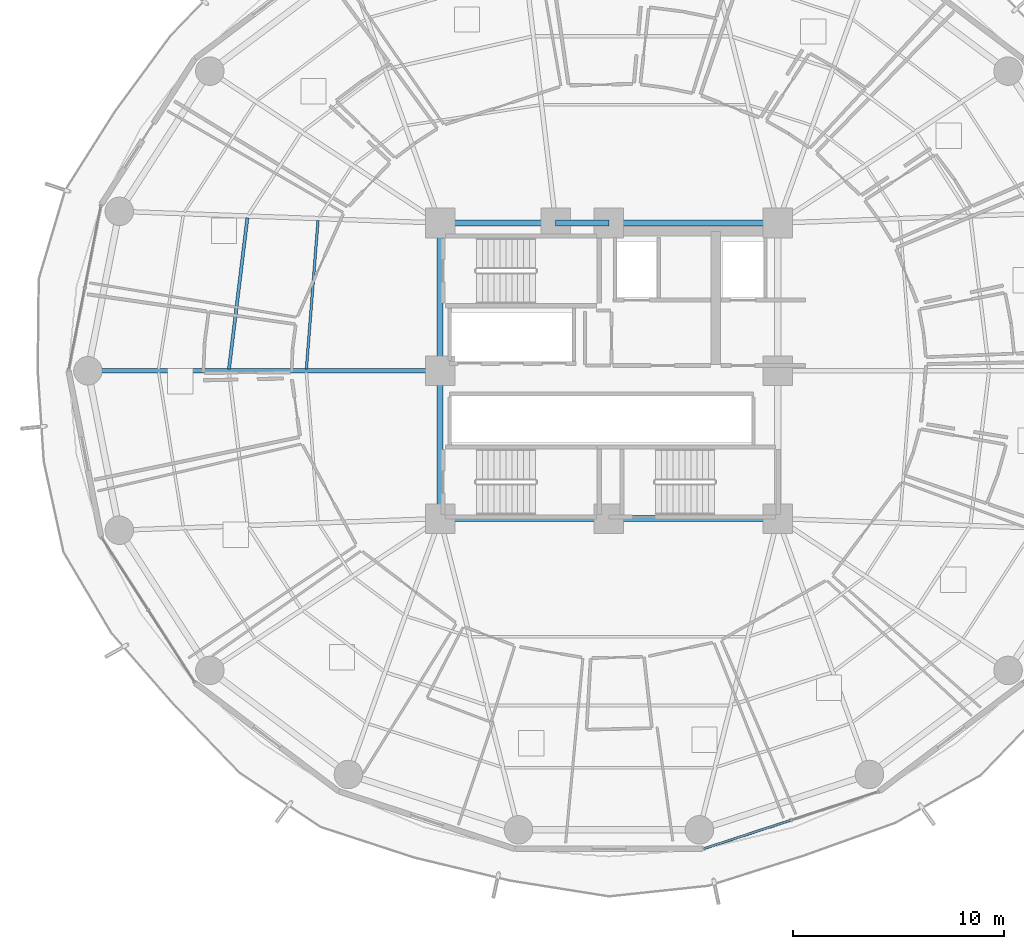
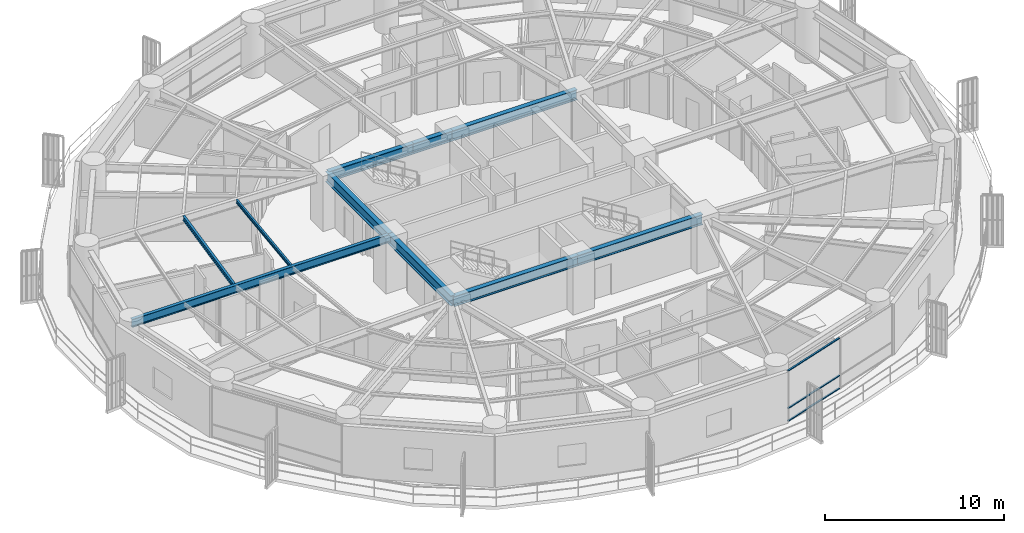
# One storey, part 9 of 35: 10 beams, 3 members, 1 element without a shape of its own.
"""IFC4 building model written with IfcOpenShell, lengths in metres."""

from ifc_helpers import new_model, si_unit, direction, frame, origin, origin_2d, place, context, subcontext, project, spatial, hollow_rectangle, i_section, extrude, material, layer, layer_set, material_profile, profile_set, type_object, element, aggregate, save


model = new_model("IFC4")

# Units and contexts
model_context = context("Model", 3, precision=1e-05, world=origin(), true_north=direction((0.0, 1.0)))
body_context = subcontext(model_context, "Body", "Model", "MODEL_VIEW")
ifc_project = project(units=[si_unit("LENGTHUNIT", "METRE"), si_unit("AREAUNIT", "SQUARE_METRE"), si_unit("VOLUMEUNIT", "CUBIC_METRE"), si_unit("PLANEANGLEUNIT", "RADIAN"), si_unit("MASSUNIT", "GRAM", prefix="KILO")], contexts=[model_context])

# Site, building, storey
site_placement = place(None, origin())
site = spatial("IfcSite", under=ifc_project, at=site_placement, CompositionType="ELEMENT")
building_placement = place(site_placement, origin())
building = spatial("IfcBuilding", under=site, at=building_placement, Name="Kelanora Arch Commons", CompositionType="ELEMENT")
storey_placement = place(building_placement, frame((0.0, 0.0, 95.10009765625)))
storey = spatial("IfcBuildingStorey", under=building, at=storey_placement, Name="L24", CompositionType="ELEMENT", Elevation=95.10009765625)

# Beams
ifc_material_1 = material(Name="Steel S355", Category="steel")
ifc_material_profile_1 = material_profile(ifc_material_1, i_section(OverallWidth=0.300048828125, OverallDepth=0.699951171875, WebThickness=0.01708984375, FlangeThickness=0.031982421875, FilletRadius=0.027099609375, at=origin_2d()), Name="HEB700")
ifc_profile_set_1 = profile_set([ifc_material_profile_1], Name="Steel S355")
beam_type_1 = type_object("IfcBeamType", Name="BM-CORE-HDR", PredefinedType="BEAM", material=ifc_profile_set_1)
for number, where, z_axis, x_axis, name in (
    (1, (66.0, 51.0, 3.139892578125), (1.0, 0.0, 0.0), (0.0, 1.0, 0.0), "Core Header Beam 01 L24"),
    (2, (74.0, 51.0, 3.139892578125), (1.0, 0.0, 0.0), (0.0, 1.0, 0.0), "Core Header Beam 02 L24"),
    (3, (82.0, 65.0, 3.139892578125), (-1.0, 0.0, 0.0), (0.0, -1.0, 0.0), "Core Header Beam 05 L24"),
):
    element("IfcBeam", number, at=place(storey_placement, frame(where, z_axis=z_axis, x_axis=x_axis)), inside=storey, type_object=beam_type_1, Name=name, PredefinedType="BEAM", context=body_context, shape_type="SweptSolid", body=[
        extrude(i_section(OverallWidth=0.300048828125, OverallDepth=0.699951171875, WebThickness=0.01708984375, FlangeThickness=0.031982421875, FilletRadius=0.027099609375, at=origin_2d()), origin(), (0.0, 0.0, 1.0), 8.0),
    ])
beam_1_placement = place(storey_placement, frame((74.0, 65.0, 3.139892578125), z_axis=(-1.0, 0.0, 0.0), x_axis=(0.0, -1.0, 0.0)))
element("IfcBeam", 4, at=beam_1_placement, inside=storey, type_object=beam_type_1, Name="Core Header Beam 06 L24", PredefinedType="BEAM", context=body_context, shape_type="SweptSolid", body=[
    extrude(i_section(OverallWidth=0.300048828125, OverallDepth=0.699951171875, WebThickness=0.01708984375, FlangeThickness=0.031982421875, FilletRadius=0.027099609375, at=origin_2d()), origin(), (0.0, 0.0, 1.0), 2.52001953125),
])
beam_2_placement = place(storey_placement, frame((71.47998046875, 65.0, 3.139892578125), z_axis=(-1.0, 0.0, 0.0), x_axis=(0.0, -1.0, 0.0)))
element("IfcBeam", 5, at=beam_2_placement, inside=storey, type_object=beam_type_1, Name="Core Header Beam 07 L24", PredefinedType="BEAM", context=body_context, shape_type="SweptSolid", body=[
    extrude(i_section(OverallWidth=0.300048828125, OverallDepth=0.699951171875, WebThickness=0.01708984375, FlangeThickness=0.031982421875, FilletRadius=0.027099609375, at=origin_2d()), origin(), (0.0, 0.0, 1.0), 5.47998046875),
])
for number, where, z_axis, x_axis, name in (
    (6, (66.0, 65.0, 3.139892578125), (0.0, -1.0, 0.0), (1.0, 0.0, 0.0), "Core Header Beam 08 L24"),
    (7, (66.0, 58.0, 3.139892578125), (0.0, -1.0, 0.0), (1.0, 0.0, 0.0), "Core Header Beam 09 L24"),
):
    element("IfcBeam", number, at=place(storey_placement, frame(where, z_axis=z_axis, x_axis=x_axis)), inside=storey, type_object=beam_type_1, Name=name, PredefinedType="BEAM", context=body_context, shape_type="SweptSolid", body=[
        extrude(i_section(OverallWidth=0.300048828125, OverallDepth=0.699951171875, WebThickness=0.01708984375, FlangeThickness=0.031982421875, FilletRadius=0.027099609375, at=origin_2d()), origin(), (0.0, 0.0, 1.0), 7.0),
    ])
ifc_material_profile_2 = material_profile(ifc_material_1, i_section(OverallWidth=0.14990234375, OverallDepth=0.300048828125, WebThickness=0.007080078125, FlangeThickness=0.0107421875, FilletRadius=0.014892578125, at=origin_2d()), Name="IPE300")
ifc_profile_set_2 = profile_set([ifc_material_profile_2], Name="Steel S355")
beam_type_2 = type_object("IfcBeamType", Name="BM-JST-01", PredefinedType="JOIST", material=ifc_profile_set_2)
beam_3_placement = place(storey_placement, frame((56.874755859375, 65.24658203125, 3.33984375), z_axis=(-0.120935645266, -0.992660349618, 0.0), x_axis=(0.992660349618, -0.120935645266, 0.0)))
element("IfcBeam", 8, at=beam_3_placement, inside=storey, type_object=beam_type_2, Name="Secondary Chord Joist BJB-16 L24", PredefinedType="JOIST", context=body_context, shape_type="SweptSolid", body=[
    extrude(i_section(OverallWidth=0.14990234375, OverallDepth=0.300048828125, WebThickness=0.007080078125, FlangeThickness=0.0107421875, FilletRadius=0.014892578125, at=origin_2d()), origin(), (0.0, 0.0, 1.0), 7.215087890625),
])
ifc_material_profile_3 = material_profile(ifc_material_1, i_section(OverallWidth=0.1201171875, OverallDepth=0.239990234375, WebThickness=0.006103515625, FlangeThickness=0.009765625, FilletRadius=0.014892578125, at=origin_2d()), Name="IPE240")
ifc_profile_set_3 = profile_set([ifc_material_profile_3], Name="Steel S355")
beam_type_3 = type_object("IfcBeamType", Name="BM-JST-02", PredefinedType="JOIST", material=ifc_profile_set_3)
beam_4_placement = place(storey_placement, frame((60.220458984375, 65.125, 3.369873046875), z_axis=(-0.078200677502, -0.996937637989, 0.0), x_axis=(0.996937637989, -0.078200677502, 0.0)))
element("IfcBeam", 9, at=beam_4_placement, inside=storey, type_object=beam_type_3, Name="Secondary Chord Joist BJA-16 L24", PredefinedType="JOIST", context=body_context, shape_type="SweptSolid", body=[
    extrude(i_section(OverallWidth=0.1201171875, OverallDepth=0.239990234375, WebThickness=0.006103515625, FlangeThickness=0.009765625, FilletRadius=0.014892578125, at=origin_2d()), origin(), (0.0, 0.0, 1.0), 7.06201171875),
])
ifc_material_profile_4 = material_profile(ifc_material_1, i_section(OverallWidth=0.2099609375, OverallDepth=0.550048828125, WebThickness=0.010986328125, FlangeThickness=0.01708984375, FilletRadius=0.02392578125, at=origin_2d()), Name="IPE550")
ifc_profile_set_4 = profile_set([ifc_material_profile_4], Name="Steel S355")
beam_type_4 = type_object("IfcBeamType", Name="BM-RAD-Z2", PredefinedType="BEAM", material=ifc_profile_set_4)
beam_5_placement = place(storey_placement, frame((66.0, 58.0, 3.21484375), z_axis=(-1.0, 0.0, 0.0), x_axis=(0.0, -1.0, 0.0)))
element("IfcBeam", 10, at=beam_5_placement, inside=storey, type_object=beam_type_4, Name="Radial Floor Girder BR-18 L24", PredefinedType="BEAM", context=body_context, shape_type="SweptSolid", body=[
    extrude(i_section(OverallWidth=0.2099609375, OverallDepth=0.550048828125, WebThickness=0.010986328125, FlangeThickness=0.01708984375, FilletRadius=0.02392578125, at=origin_2d()), origin(), (0.0, 0.0, 1.0), 16.679931640625),
])

# Curtain wall, members
ifc_material_2 = material(Name="Terracotta ceramic-fritted low-E glass and aluminium", Category="masonry")
ifc_layer = layer(ifc_material_2, 0.159912109375)
ifc_layer_set = layer_set([ifc_layer], Name="Terracotta ceramic-fritted low-E glass and aluminium")
curtain_wall_type = type_object("IfcCurtainWallType", Name="CW-SYS-01", PredefinedType="NOTDEFINED", material=ifc_layer_set)
curtain_wall_placement = place(storey_placement, origin())
curtain_wall = element("IfcCurtainWall", 11, at=curtain_wall_placement, inside=storey, type_object=curtain_wall_type, Name="Unitised Curtain Wall L24-B14", PredefinedType="NOTDEFINED")
ifc_material_3 = material(Name="Powder-coated aluminium terracotta", Category="masonry")
ifc_material_profile_5 = material_profile(ifc_material_3, hollow_rectangle(XDim=0.1201171875, YDim=0.06005859375, WallThickness=0.0048828125, InnerFilletRadius=0.0048828125, OuterFilletRadius=0.010009765625, at=origin_2d()), Name="CWT120x60")
ifc_profile_set_5 = profile_set([ifc_material_profile_5], Name="Powder-coated aluminium terracotta")
member_type = type_object("IfcMemberType", Name="CWT-STD", PredefinedType="USERDEFINED", material=ifc_profile_set_5)
member_1_placement = place(storey_placement, frame((78.516845703125, 35.372802734375, 0.02978515625), z_axis=(0.950477544745, 0.31079323824, 0.0), x_axis=(-0.31079323824, 0.950477544745, 0.0)))
member_1 = element("IfcMember", 12, at=member_1_placement, type_object=member_type, Name="CW-01 transom 1.1", ObjectType="TRANSOM", PredefinedType="USERDEFINED", context=body_context, shape_type="SweptSolid", body=[
    extrude(hollow_rectangle(XDim=0.1201171875, YDim=0.06005859375, WallThickness=0.0048828125, InnerFilletRadius=0.0048828125, OuterFilletRadius=0.010009765625, at=origin_2d()), origin(), (0.0, 0.0, 1.0), 4.289794921875),
])
member_2_placement = place(storey_placement, frame((78.516845703125, 35.372802734375, 0.89990234375), z_axis=(0.950477544745, 0.31079323824, 0.0), x_axis=(-0.31079323824, 0.950477544745, 0.0)))
member_2 = element("IfcMember", 13, at=member_2_placement, type_object=member_type, Name="CW-01 transom 1.2", ObjectType="TRANSOM", PredefinedType="USERDEFINED", context=body_context, shape_type="SweptSolid", body=[
    extrude(hollow_rectangle(XDim=0.1201171875, YDim=0.06005859375, WallThickness=0.0048828125, InnerFilletRadius=0.0048828125, OuterFilletRadius=0.010009765625, at=origin_2d()), origin(), (0.0, 0.0, 1.0), 4.289794921875),
])
member_3_placement = place(storey_placement, frame((78.516845703125, 35.372802734375, 3.44482421875), z_axis=(0.950477544745, 0.31079323824, 0.0), x_axis=(-0.31079323824, 0.950477544745, 0.0)))
member_3 = element("IfcMember", 14, at=member_3_placement, type_object=member_type, Name="CW-01 transom 1.3", ObjectType="TRANSOM", PredefinedType="USERDEFINED", context=body_context, shape_type="SweptSolid", body=[
    extrude(hollow_rectangle(XDim=0.1201171875, YDim=0.06005859375, WallThickness=0.0048828125, InnerFilletRadius=0.0048828125, OuterFilletRadius=0.010009765625, at=origin_2d()), origin(), (0.0, 0.0, 1.0), 4.289794921875),
])
aggregate(curtain_wall, [member_1, member_2, member_3])

save(model, "model.ifc")
